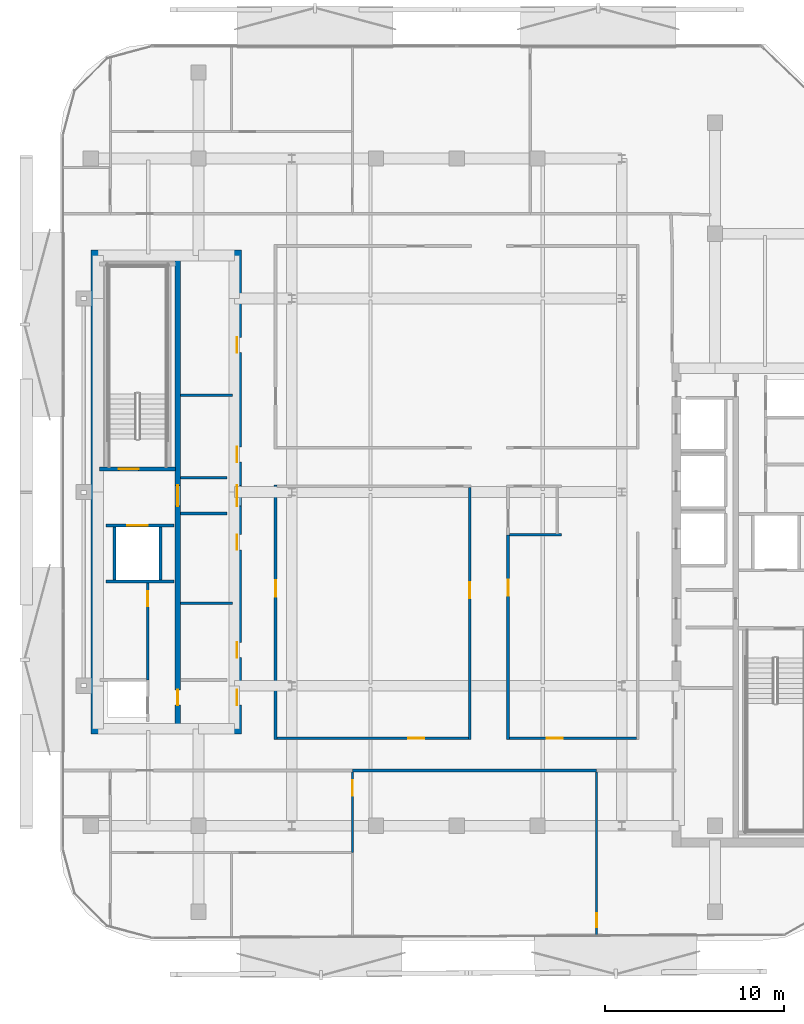
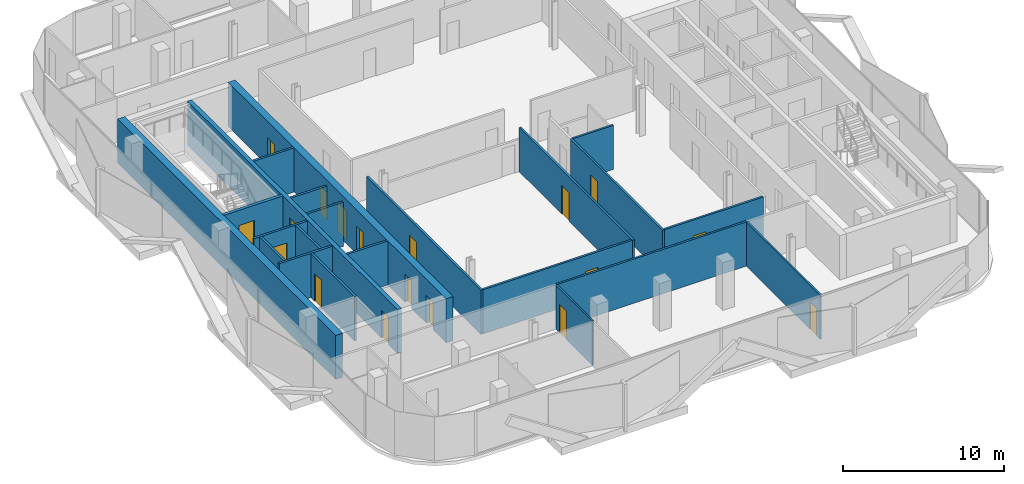
# One storey, part 3 of 14: 22 walls, 18 doors, 18 openings.
"""IFC4 building model written with IfcOpenShell, lengths in metres."""

import ifcopenshell
import ifcopenshell.guid

model = None  # the IFC model being written
_history = None  # IfcOwnerHistory: only IFC2X3 demands one
_inside = {}  # id of a spatial element -> (the spatial element, [elements in it])
_under = {}  # id of a project, library or spatial element -> (it, [spatial elements below it])
_declared = {}  # id of a project -> (the project, [libraries it declares])
_typed = {}  # id of a type object -> (the type object, [elements of that type])
_made_of = {}  # id of a material, layer set ... -> (it, [elements and type objects made of it])


def new_model(schema):
    """Start an empty IFC model of exactly this schema.

    Asked for "IFC4X3", IfcOpenShell would pick the latest addendum, in which some entities
    have other attributes; the version numbers below select the first issue.
    IFC2X3 requires an IfcOwnerHistory on every rooted entity: one is made here for all.
    """
    global model, _history
    if schema == "IFC4X3":
        model = ifcopenshell.file(schema_version=(4, 3, 0, 0))
    else:
        model = ifcopenshell.file(schema=schema)
    _inside.clear()
    _under.clear()
    _declared.clear()
    _typed.clear()
    _made_of.clear()
    _history = None
    if model.schema == "IFC2X3":
        org = make("IfcOrganization", Name="unknown")
        user = make(
            "IfcPersonAndOrganization",
            ThePerson=make("IfcPerson", FamilyName="unknown"),
            TheOrganization=org,
        )
        app = make(
            "IfcApplication",
            ApplicationDeveloper=org,
            Version="unknown",
            ApplicationFullName="unknown",
            ApplicationIdentifier="unknown",
        )
        _history = make(
            "IfcOwnerHistory",
            OwningUser=user,
            OwningApplication=app,
            ChangeAction="ADDED",
            CreationDate=0,
        )
    return model


def make(cls, **values):
    """One entity of the class cls with the attributes given. An attribute that is None is left unset."""
    return model.create_entity(
        cls, **{name: value for name, value in values.items() if value is not None}
    )


def rooted(cls, **values):
    """An entity with a GlobalId (a new one), such as an element, a storey or a relation."""
    return make(cls, GlobalId=ifcopenshell.guid.new(), OwnerHistory=_history, **values)


def si_unit(unit_type, name, prefix=None):
    """IfcSIUnit, for example si_unit("LENGTHUNIT", "METRE", prefix="MILLI")."""
    return make("IfcSIUnit", UnitType=unit_type, Prefix=prefix, Name=name)


def assignment(units):
    """IfcUnitAssignment: the units of a project."""
    return None if units is None else make("IfcUnitAssignment", Units=units)


def point(xyz):
    """IfcCartesianPoint."""
    return None if xyz is None else make("IfcCartesianPoint", Coordinates=xyz)


def direction(xyz):
    """IfcDirection."""
    return None if xyz is None else make("IfcDirection", DirectionRatios=xyz)


def frame(location, z_axis=None, x_axis=None):
    """IfcAxis2Placement3D, a coordinate frame: its origin and axes. An axis left out is left unset."""
    return make(
        "IfcAxis2Placement3D",
        Location=point(location),
        Axis=direction(z_axis),
        RefDirection=direction(x_axis),
    )


def frame_2d(location, x_axis=None):
    """IfcAxis2Placement2D, a coordinate frame in the plane: its origin and x axis."""
    return make(
        "IfcAxis2Placement2D", Location=point(location), RefDirection=direction(x_axis)
    )


def origin():
    """The frame at (0, 0, 0) with its axes left unset."""
    return frame((0.0, 0.0, 0.0))


def place(relative_to, where):
    """IfcLocalPlacement: puts the frame where relative to a parent placement (None: the world)."""
    return make(
        "IfcLocalPlacement", PlacementRelTo=relative_to, RelativePlacement=where
    )


def context(
    kind, dimensions, precision=None, world=None, true_north=None, identifier=None
):
    """IfcGeometricRepresentationContext, for example the 3D "Model" context."""
    return make(
        "IfcGeometricRepresentationContext",
        ContextIdentifier=identifier,
        ContextType=kind,
        CoordinateSpaceDimension=dimensions,
        Precision=precision,
        WorldCoordinateSystem=world,
        TrueNorth=true_north,
    )


def subcontext(parent, identifier, kind, view, scale=None):
    """IfcGeometricRepresentationSubContext, for example "Body" below "Model"."""
    return make(
        "IfcGeometricRepresentationSubContext",
        ContextIdentifier=identifier,
        ContextType=kind,
        ParentContext=parent,
        TargetScale=scale,
        TargetView=view,
    )


def project(units=None, contexts=None):
    """IfcProject with its units and contexts."""
    return rooted(
        "IfcProject",
        Name="project",
        RepresentationContexts=contexts,
        UnitsInContext=assignment(units),
    )


def spatial(cls, under=None, at=None, **own):
    """A site, building, storey or space (cls), placed at a placement, below another one or the project."""
    s = rooted(cls, ObjectPlacement=at, **own)
    if under is not None:
        _under.setdefault(under.id(), (under, []))[1].append(s)
    return s


def profile(cls, at=None, kind="AREA", **sizes):
    """A parametric profile (cls). Its sizes go by their IFC names, for example OverallWidth=200.0."""
    return make(cls, ProfileType=kind, Position=at, **sizes)


def rectangle(**sizes):
    """IfcRectangleProfileDef."""
    return profile("IfcRectangleProfileDef", **sizes)


def extrude(swept, where, along, depth):
    """IfcExtrudedAreaSolid: the profile swept, set in the frame where, extruded along a direction by depth."""
    return make(
        "IfcExtrudedAreaSolid",
        SweptArea=swept,
        Position=where,
        ExtrudedDirection=direction(along),
        Depth=depth,
    )


def shape(context_of_items, identifier, shape_type, items):
    """IfcShapeRepresentation: the items that make up one representation, for example the "Body"."""
    return make(
        "IfcShapeRepresentation",
        ContextOfItems=context_of_items,
        RepresentationIdentifier=identifier,
        RepresentationType=shape_type,
        Items=items,
    )


def material(Name=None, Category=None):
    """IfcMaterial."""
    return make("IfcMaterial", Name=Name, Category=Category)


def layer(
    of_material, thickness, ventilated=None, Name=None, Category=None, Priority=None
):
    """IfcMaterialLayer: one layer of a wall or slab, of a material (None: an air gap)."""
    return make(
        "IfcMaterialLayer",
        Material=of_material,
        LayerThickness=thickness,
        IsVentilated=ventilated,
        Name=Name,
        Category=Category,
        Priority=Priority,
    )


def layer_set(layers, Name=None):
    """IfcMaterialLayerSet."""
    return make("IfcMaterialLayerSet", MaterialLayers=layers, LayerSetName=Name)


def made_of(thing, what):
    """Note that an element or type object is made of a material, layer set ...; save() writes the relation."""
    if what is not None:
        _made_of.setdefault(what.id(), (what, []))[1].append(thing)
    return thing


def type_object(cls, material=None, **own):
    """A type object (cls), such as IfcWallType, which elements share."""
    return made_of(rooted(cls, **own), material)


def element(
    cls,
    number,
    at=None,
    inside=None,
    cuts=None,
    type_object=None,
    material=None,
    context=None,
    identifier="Body",
    shape_type=None,
    held_by="IfcProductDefinitionShape",
    body=None,
    shapes=None,
    **own,
):
    """One element of the class cls, such as IfcWall. Its Tag is "e" and its number.

    at: its placement. inside: the storey or other place that contains it. cuts: it is an
    opening in that element (IfcRelVoidsElement). A single representation is given by context,
    identifier, shape_type and body (its items); several are given by shapes. held_by: the class
    of the entity that holds the representations. save() writes the other relations.
    """
    e = rooted(cls, Tag="e%d" % number, ObjectPlacement=at, **own)
    if body is not None:
        shapes = [shape(context, identifier, shape_type, body)]
    if shapes is not None:
        e.Representation = make(held_by, Representations=shapes)
    if inside is not None:
        _inside.setdefault(inside.id(), (inside, []))[1].append(e)
    if cuts is not None:
        rooted(
            "IfcRelVoidsElement", RelatingBuildingElement=cuts, RelatedOpeningElement=e
        )
    if type_object is not None:
        _typed.setdefault(type_object.id(), (type_object, []))[1].append(e)
    return made_of(e, material)


def fill(opening, filler):
    """IfcRelFillsElement: the door or window that sits in an opening."""
    return rooted(
        "IfcRelFillsElement",
        RelatingOpeningElement=opening,
        RelatedBuildingElement=filler,
    )


def aggregate(whole, parts):
    """IfcRelAggregates: a whole, such as a stair, and the parts it consists of."""
    return rooted("IfcRelAggregates", RelatingObject=whole, RelatedObjects=parts)


def save(model, path):
    """Write the relations noted so far, then the file.

    IfcRelAggregates (storeys below a building ...), IfcRelContainedInSpatialStructure (elements
    in a storey), IfcRelDefinesByType, IfcRelAssociatesMaterial and IfcRelDeclares: one each for
    every whole, place, type object, material and project.
    """
    for whole, parts in _under.values():
        aggregate(whole, parts)
    for where, things in _inside.values():
        rooted(
            "IfcRelContainedInSpatialStructure",
            RelatedElements=things,
            RelatingStructure=where,
        )
    for kind, things in _typed.values():
        rooted("IfcRelDefinesByType", RelatedObjects=things, RelatingType=kind)
    for what, things in _made_of.values():
        rooted("IfcRelAssociatesMaterial", RelatedObjects=things, RelatingMaterial=what)
    for by, libraries in _declared.values():
        rooted("IfcRelDeclares", RelatingContext=by, RelatedDefinitions=libraries)
    model.write(path)


model = new_model("IFC4")

# Units and contexts
model_context = context("Model", 3, precision=1e-05, world=origin(), true_north=direction((0.0, 1.0)))
body_context = subcontext(model_context, "Body", "Model", "MODEL_VIEW")
ifc_project = project(units=[si_unit("LENGTHUNIT", "METRE"), si_unit("AREAUNIT", "SQUARE_METRE"), si_unit("VOLUMEUNIT", "CUBIC_METRE"), si_unit("PLANEANGLEUNIT", "RADIAN"), si_unit("MASSUNIT", "GRAM", prefix="KILO")], contexts=[model_context])

# Site, building, storey
site_placement = place(None, origin())
site = spatial("IfcSite", under=ifc_project, at=site_placement, CompositionType="ELEMENT")
building_placement = place(site_placement, origin())
building = spatial("IfcBuilding", under=site, at=building_placement, Name="Khairoan Windgate Tower", CompositionType="ELEMENT")
storey_placement = place(building_placement, frame((0.0, 0.0, 240.39990234375)))
storey = spatial("IfcBuildingStorey", under=building, at=storey_placement, Name="L56", CompositionType="ELEMENT", Elevation=240.39990234375)

# Wall, opening, door
ifc_material_1 = material(Name="Concrete C40/50", Category="concrete")
ifc_layer_1 = layer(ifc_material_1, 0.159912109375, Name="Concrete C40/50")
ifc_layer_set_1 = layer_set([ifc_layer_1], Name="Concrete C40/50")
wall_type_1 = type_object("IfcWallType", Name="Core and Hoistway Enclosure Wall", PredefinedType="STANDARD", material=ifc_layer_set_1)
wall_1_placement = place(storey_placement, frame((-19.550048828125, -1.860107421875, 0.0), z_axis=(0.0, 0.0, 1.0), x_axis=(1.0, 0.0, 0.0)))
wall_1 = element("IfcWall", 1, at=wall_1_placement, inside=storey, type_object=wall_type_1, Name="L56 Core Shaft Wall SW-FL2-L56", PredefinedType="STANDARD", context=body_context, shape_type="SweptSolid", body=[
    extrude(rectangle(XDim=3.800048828125, YDim=0.159912109375, at=frame_2d((1.89990234375, 0.0))), origin(), (0.0, 0.0, 1.0), 3.340087890625),
])
opening_1_placement = place(wall_1_placement, frame((1.179931640625, 0.0, 0.0)))
opening_1 = element("IfcOpeningElement", 2, at=opening_1_placement, cuts=wall_1, Name="Opening LD-FL", PredefinedType="OPENING", context=body_context, shape_type="SweptSolid", body=[
    extrude(rectangle(XDim=1.14990234375, YDim=2.199951171875, at=frame_2d((0.574951171875, 1.10009765625))), frame((0.0, 0.08984375, 0.0), z_axis=(0.0, -1.0, 0.0), x_axis=(1.0, 0.0, 0.0)), (0.0, 0.0, 1.0), 0.179931640625),
])
ifc_material_2 = material(Name="Steel S355", Category="steel")
door_type_1 = type_object("IfcDoorType", Name="Firefighting Lift Sliding Landing Door LD-FL 1150x2200", OperationType="DOUBLE_DOOR_SLIDING", PredefinedType="DOOR", material=ifc_material_2)
door_1_placement = place(opening_1_placement, origin())
door_1 = element("IfcDoor", 3, at=door_1_placement, inside=storey, type_object=door_type_1, Name="L56 Firefighting Lift FL2 Landing Door", OperationType="DOUBLE_DOOR_SLIDING", OverallHeight=2.199951171875, OverallWidth=1.14990234375, PredefinedType="DOOR", context=body_context, shape_type="SweptSolid", body=[
    extrude(rectangle(XDim=1.14990234375, YDim=2.199951171875, at=frame_2d((0.574951171875, 1.10009765625))), frame((0.0, 0.02490234375, 0.0), z_axis=(0.0, -1.0, 0.0), x_axis=(1.0, 0.0, 0.0)), (0.0, 0.0, 1.0), 0.050048828125),
])
fill(opening_1, door_1)

# Walls
wall_2_placement = place(storey_placement, frame((-19.550048828125, -4.97998046875, 0.0), z_axis=(0.0, 0.0, 1.0), x_axis=(1.0, 0.0, 0.0)))
element("IfcWall", 4, at=wall_2_placement, inside=storey, type_object=wall_type_1, Name="L56 Core Shaft Wall SW-FL2B-L56", PredefinedType="STANDARD", context=body_context, shape_type="SweptSolid", body=[
    extrude(rectangle(XDim=3.800048828125, YDim=0.159912109375, at=frame_2d((1.89990234375, 0.0))), origin(), (0.0, 0.0, 1.0), 3.340087890625),
])
for number, where, z_axis, x_axis, name in (
    (5, (-19.080078125, -4.89990234375, 0.0), (0.0, 0.0, 1.0), (0.0, 1.0, 0.0), "L56 Core Shaft Wall SW-FL2W-L56"),
    (6, (-16.52001953125, -4.89990234375, 0.0), (0.0, 0.0, 1.0), (0.0, 1.0, 0.0), "L56 Core Shaft Wall SW-FL2E-L56"),
):
    element("IfcWall", number, at=place(storey_placement, frame(where, z_axis=z_axis, x_axis=x_axis)), inside=storey, type_object=wall_type_1, Name=name, PredefinedType="STANDARD", context=body_context, shape_type="SweptSolid", body=[
        extrude(rectangle(XDim=2.9599609375, YDim=0.159912109375, at=frame_2d((1.47998046875, 0.0))), origin(), (0.0, 0.0, 1.0), 3.340087890625),
    ])
for number, where, z_axis, x_axis, name in (
    (7, (-15.39990234375, 0.800048828125, 0.0), (0.0, 0.0, 1.0), (1.0, 0.0, 0.0), "L56 Core Shaft Wall SW-WV1-L56"),
    (8, (-15.39990234375, -1.199951171875, 0.0), (0.0, 0.0, 1.0), (1.0, 0.0, 0.0), "L56 Core Shaft Wall SW-WV2-L56"),
):
    element("IfcWall", number, at=place(storey_placement, frame(where, z_axis=z_axis, x_axis=x_axis)), inside=storey, type_object=wall_type_1, Name=name, PredefinedType="STANDARD", context=body_context, shape_type="SweptSolid", body=[
        extrude(rectangle(XDim=2.599853515625, YDim=0.159912109375, at=frame_2d((1.2998046875, 0.0))), origin(), (0.0, 0.0, 1.0), 3.340087890625),
    ])
ifc_material_3 = material(Name="Acoustic Fire-Rated Gypsum Partition", Category="gypsum")
ifc_layer_2 = layer(ifc_material_3, 0.139892578125, Name="Acoustic Fire-Rated Gypsum Partition")
ifc_layer_set_2 = layer_set([ifc_layer_2], Name="Acoustic Fire-Rated Gypsum Partition")
wall_type_2 = type_object("IfcWallType", Name="Inter-Tenancy Compartment Wall", PredefinedType="PARTITIONING", material=ifc_layer_set_2)
wall_3_placement = place(storey_placement, frame((2.93994140625, -2.3798828125, 0.0), z_axis=(0.0, 0.0, 1.0), x_axis=(1.0, 0.0, 0.0)))
element("IfcWall", 9, at=wall_3_placement, inside=storey, type_object=wall_type_2, Name="L56 Interior Partition 058", PredefinedType="PARTITIONING", context=body_context, shape_type="SweptSolid", body=[
    extrude(rectangle(XDim=2.900146484375, YDim=0.139892578125, at=frame_2d((1.4501953125, 0.0))), origin(), (0.0, 0.0, 1.0), 3.340087890625),
])

# Wall, opening, door
ifc_material_4 = material(Name="Gypsum Stud Partition", Category="gypsum")
ifc_layer_3 = layer(ifc_material_4, 0.1201171875, Name="Gypsum Stud Partition")
ifc_layer_set_3 = layer_set([ifc_layer_3], Name="Gypsum Stud Partition")
wall_type_3 = type_object("IfcWallType", Name="Internal Room Partition Wall", PredefinedType="PARTITIONING", material=ifc_layer_set_3)
wall_4_placement = place(storey_placement, frame((-5.81005859375, -20.10009765625, 0.0), z_axis=(0.0, 0.0, 1.0), x_axis=(0.0, 1.0, 0.0)))
wall_4 = element("IfcWall", 10, at=wall_4_placement, inside=storey, type_object=wall_type_3, Name="L56 Interior Partition 052", PredefinedType="PARTITIONING", context=body_context, shape_type="SweptSolid", body=[
    extrude(rectangle(XDim=4.5, YDim=0.1201171875, at=frame_2d((2.25, 0.0))), origin(), (0.0, 0.0, 1.0), 3.340087890625),
])
opening_2_placement = place(wall_4_placement, frame((3.179931640625, 0.0, 0.0)))
opening_2 = element("IfcOpeningElement", 11, at=opening_2_placement, cuts=wall_4, Name="Opening ID-RM", PredefinedType="OPENING", context=body_context, shape_type="SweptSolid", body=[
    extrude(rectangle(XDim=0.860107421875, YDim=2.14990234375, at=frame_2d((0.43017578125, 1.074951171875))), frame((0.0, 0.070068359375, 0.0), z_axis=(0.0, -1.0, 0.0), x_axis=(1.0, 0.0, 0.0)), (0.0, 0.0, 1.0), 0.14013671875),
])
ifc_material_5 = material(Name="Teak Veneer Timber Leaf", Category="wood")
door_type_2 = type_object("IfcDoorType", Name="Internal Bedroom and Office Door ID-RM 860x2150", OperationType="NOTDEFINED", PredefinedType="DOOR", material=ifc_material_5)
door_2_placement = place(opening_2_placement, origin())
door_2 = element("IfcDoor", 12, at=door_2_placement, inside=storey, type_object=door_type_2, Name="L56 L56-42-L56-43 Door", OperationType="SINGLE_SWING_LEFT", OverallHeight=2.14990234375, OverallWidth=0.860107421875, PredefinedType="DOOR", context=body_context, shape_type="SweptSolid", body=[
    extrude(rectangle(XDim=0.860107421875, YDim=2.14990234375, at=frame_2d((0.43017578125, 1.074951171875))), frame((0.0, 0.02490234375, 0.0), z_axis=(0.0, -1.0, 0.0), x_axis=(1.0, 0.0, 0.0)), (0.0, 0.0, 1.0), 0.050048828125),
])
fill(opening_2, door_2)

wall_5_placement = place(storey_placement, frame((7.804931640625, -24.7353515625, 0.0), z_axis=(0.0, 0.0, 1.0), x_axis=(0.0, 1.0, 0.0)))
wall_5 = element("IfcWall", 13, at=wall_5_placement, inside=storey, type_object=wall_type_3, Name="L56 Interior Partition 055", PredefinedType="PARTITIONING", context=body_context, shape_type="SweptSolid", body=[
    extrude(rectangle(XDim=9.13525390625, YDim=0.1201171875, at=frame_2d((4.567626953125, 0.0))), origin(), (0.0, 0.0, 1.0), 3.340087890625),
])
opening_3_placement = place(wall_5_placement, frame((0.4599609375, 0.0, 0.0)))
opening_3 = element("IfcOpeningElement", 14, at=opening_3_placement, cuts=wall_5, Name="Opening ID-BTH", PredefinedType="OPENING", context=body_context, shape_type="SweptSolid", body=[
    extrude(rectangle(XDim=0.800048828125, YDim=2.10009765625, at=frame_2d((0.39990234375, 1.050048828125))), frame((0.0, 0.070068359375, 0.0), z_axis=(0.0, -1.0, 0.0), x_axis=(1.0, 0.0, 0.0)), (0.0, 0.0, 1.0), 0.14013671875),
])
ifc_material_6 = material(Name="Teak Veneer Timber Leaf", Category="wood")
door_type_3 = type_object("IfcDoorType", Name="Internal Bathroom Door ID-BTH 800x2100", OperationType="NOTDEFINED", PredefinedType="DOOR", material=ifc_material_6)
door_3_placement = place(opening_3_placement, origin())
door_3 = element("IfcDoor", 15, at=door_3_placement, inside=storey, type_object=door_type_3, Name="L56 L56-43-L56-44 Door", OperationType="SINGLE_SWING_LEFT", OverallHeight=2.10009765625, OverallWidth=0.800048828125, PredefinedType="DOOR", context=body_context, shape_type="SweptSolid", body=[
    extrude(rectangle(XDim=0.800048828125, YDim=2.10009765625, at=frame_2d((0.39990234375, 1.050048828125))), frame((0.0, 0.02490234375, 0.0), z_axis=(0.0, -1.0, 0.0), x_axis=(1.0, 0.0, 0.0)), (0.0, 0.0, 1.0), 0.050048828125),
])
fill(opening_3, door_3)

ifc_material_7 = material(Name="Concrete C40/50", Category="concrete")
ifc_layer_4 = layer(ifc_material_7, 0.159912109375, Name="Concrete C40/50")
ifc_layer_set_4 = layer_set([ifc_layer_4], Name="Concrete C40/50")
wall_type_4 = type_object("IfcWallType", Name="Plant and Refuge Compartment Wall", PredefinedType="PARTITIONING", material=ifc_layer_set_4)
wall_6_placement = place(storey_placement, frame((-17.22998046875, -10.469970703125, 0.0), z_axis=(0.0, 0.0, 1.0), x_axis=(0.0, 1.0, 0.0)))
wall_6 = element("IfcWall", 16, at=wall_6_placement, inside=storey, type_object=wall_type_4, Name="L56 Interior Partition 002", PredefinedType="PARTITIONING", context=body_context, shape_type="SweptSolid", body=[
    extrude(rectangle(XDim=5.409912109375, YDim=0.159912109375, at=frame_2d((2.705078125, 0.0))), origin(), (0.0, 0.0, 1.0), 3.340087890625),
])
opening_4_placement = place(wall_6_placement, frame((4.10009765625, 0.0, 0.0)))
opening_4 = element("IfcOpeningElement", 17, at=opening_4_placement, cuts=wall_6, Name="Opening FD-SRV", PredefinedType="OPENING", context=body_context, shape_type="SweptSolid", body=[
    extrude(rectangle(XDim=0.85009765625, YDim=2.10009765625, at=frame_2d((0.425048828125, 1.050048828125))), frame((0.0, 0.08984375, 0.0), z_axis=(0.0, -1.0, 0.0), x_axis=(1.0, 0.0, 0.0)), (0.0, 0.0, 1.0), 0.179931640625),
])
ifc_material_8 = material(Name="Steel S355", Category="steel")
door_type_4 = type_object("IfcDoorType", Name="Core Service and Riser Fire Door FD-SRV 850x2100", OperationType="NOTDEFINED", PredefinedType="DOOR", material=ifc_material_8)
door_4_placement = place(opening_4_placement, origin())
door_4 = element("IfcDoor", 18, at=door_4_placement, inside=storey, type_object=door_type_4, Name="L56 L56-04-L56-06 Door", OperationType="SINGLE_SWING_LEFT", OverallHeight=2.10009765625, OverallWidth=0.85009765625, PredefinedType="DOOR", context=body_context, shape_type="SweptSolid", body=[
    extrude(rectangle(XDim=0.85009765625, YDim=2.10009765625, at=frame_2d((0.425048828125, 1.050048828125))), frame((0.0, 0.02490234375, 0.0), z_axis=(0.0, -1.0, 0.0), x_axis=(1.0, 0.0, 0.0)), (0.0, 0.0, 1.0), 0.050048828125),
])
fill(opening_4, door_4)

# Walls
for number, where, z_axis, x_axis, name in (
    (19, (-15.39990234375, 5.39990234375, 0.0), (0.0, 0.0, 1.0), (1.0, 0.0, 0.0), "L56 Interior Partition 004"),
    (20, (-15.39990234375, -6.199951171875, 0.0), (0.0, 0.0, 1.0), (1.0, 0.0, 0.0), "L56 Interior Partition 005"),
):
    element("IfcWall", number, at=place(storey_placement, frame(where, z_axis=z_axis, x_axis=x_axis)), inside=storey, type_object=wall_type_4, Name=name, PredefinedType="PARTITIONING", context=body_context, shape_type="SweptSolid", body=[
        extrude(rectangle(XDim=2.89990234375, YDim=0.159912109375, at=frame_2d((1.449951171875, 0.0))), origin(), (0.0, 0.0, 1.0), 3.340087890625),
    ])

# Wall, opening, door
ifc_material_9 = material(Name="Acoustic Fire-Rated Gypsum Partition", Category="gypsum")
ifc_layer_5 = layer(ifc_material_9, 0.14990234375, Name="Acoustic Fire-Rated Gypsum Partition")
ifc_layer_set_5 = layer_set([ifc_layer_5], Name="Acoustic Fire-Rated Gypsum Partition")
wall_type_5 = type_object("IfcWallType", Name="Rated Corridor Partition Wall", PredefinedType="PARTITIONING", material=ifc_layer_set_5)
wall_7_placement = place(storey_placement, frame((-10.10009765625, -13.794921875, 0.0), z_axis=(0.0, 0.0, 1.0), x_axis=(0.0, 1.0, 0.0)))
wall_7 = element("IfcWall", 21, at=wall_7_placement, inside=storey, type_object=wall_type_5, Name="L56 Interior Partition 013", PredefinedType="PARTITIONING", context=body_context, shape_type="SweptSolid", body=[
    extrude(rectangle(XDim=14.204833984375, YDim=0.14990234375, at=frame_2d((7.1025390625, 0.0))), origin(), (0.0, 0.0, 1.0), 3.340087890625),
])
opening_5_placement = place(wall_7_placement, frame((7.97216796875, 0.0, 0.0)))
opening_5 = element("IfcOpeningElement", 22, at=opening_5_placement, cuts=wall_7, Name="Opening FD-ENT", PredefinedType="OPENING", context=body_context, shape_type="SweptSolid", body=[
    extrude(rectangle(XDim=0.89990234375, YDim=2.14990234375, at=frame_2d((0.449951171875, 1.074951171875))), frame((0.0, 0.0849609375, 0.0), z_axis=(0.0, -1.0, 0.0), x_axis=(1.0, 0.0, 0.0)), (0.0, 0.0, 1.0), 0.169921875),
])
ifc_material_10 = material(Name="Timber Fire-Rated Core", Category="wood")
door_type_5 = type_object("IfcDoorType", Name="Unit and Office Fire Entrance Door FD-ENT 900x2150", OperationType="NOTDEFINED", PredefinedType="DOOR", material=ifc_material_10)
door_5_placement = place(opening_5_placement, origin())
door_5 = element("IfcDoor", 23, at=door_5_placement, inside=storey, type_object=door_type_5, Name="L56 L56-27-L56-49 Door", OperationType="SINGLE_SWING_RIGHT", OverallHeight=2.14990234375, OverallWidth=0.89990234375, PredefinedType="DOOR", context=body_context, shape_type="SweptSolid", body=[
    extrude(rectangle(XDim=0.89990234375, YDim=2.14990234375, at=frame_2d((0.449951171875, 1.074951171875))), frame((0.0, 0.02490234375, 0.0), z_axis=(0.0, -1.0, 0.0), x_axis=(1.0, 0.0, 0.0)), (0.0, 0.0, 1.0), 0.050048828125),
])
fill(opening_5, door_5)

wall_8_placement = place(storey_placement, frame((0.735107421875, -13.794921875, 0.0), z_axis=(0.0, 0.0, 1.0), x_axis=(0.0, 1.0, 0.0)))
wall_8 = element("IfcWall", 24, at=wall_8_placement, inside=storey, type_object=wall_type_5, Name="L56 Interior Partition 021", PredefinedType="PARTITIONING", context=body_context, shape_type="SweptSolid", body=[
    extrude(rectangle(XDim=14.054931640625, YDim=0.14990234375, at=frame_2d((7.02734375, 0.0))), origin(), (0.0, 0.0, 1.0), 3.340087890625),
])
opening_6_placement = place(wall_8_placement, frame((7.881103515625, 0.0, 0.0)))
opening_6 = element("IfcOpeningElement", 25, at=opening_6_placement, cuts=wall_8, Name="Opening FD-ENT", PredefinedType="OPENING", context=body_context, shape_type="SweptSolid", body=[
    extrude(rectangle(XDim=0.89990234375, YDim=2.14990234375, at=frame_2d((0.449951171875, 1.074951171875))), frame((0.0, 0.0849609375, 0.0), z_axis=(0.0, -1.0, 0.0), x_axis=(1.0, 0.0, 0.0)), (0.0, 0.0, 1.0), 0.169921875),
])
door_6_placement = place(opening_6_placement, origin())
door_6 = element("IfcDoor", 26, at=door_6_placement, inside=storey, type_object=door_type_5, Name="L56 L56-30-L56-49 Door", OperationType="SINGLE_SWING_RIGHT", OverallHeight=2.14990234375, OverallWidth=0.89990234375, PredefinedType="DOOR", context=body_context, shape_type="SweptSolid", body=[
    extrude(rectangle(XDim=0.89990234375, YDim=2.14990234375, at=frame_2d((0.449951171875, 1.074951171875))), frame((0.0, 0.02490234375, 0.0), z_axis=(0.0, -1.0, 0.0), x_axis=(1.0, 0.0, 0.0)), (0.0, 0.0, 1.0), 0.050048828125),
])
fill(opening_6, door_6)

wall_9_placement = place(storey_placement, frame((2.864990234375, -13.794921875, 0.0), z_axis=(0.0, 0.0, 1.0), x_axis=(0.0, 1.0, 0.0)))
wall_9 = element("IfcWall", 27, at=wall_9_placement, inside=storey, type_object=wall_type_5, Name="L56 Interior Partition 023", PredefinedType="PARTITIONING", context=body_context, shape_type="SweptSolid", body=[
    extrude(rectangle(XDim=11.4150390625, YDim=0.14990234375, at=frame_2d((5.70751953125, 0.0))), origin(), (0.0, 0.0, 1.0), 3.340087890625),
])
opening_7_placement = place(wall_9_placement, frame((8.013427734375, 0.0, 0.0)))
opening_7 = element("IfcOpeningElement", 28, at=opening_7_placement, cuts=wall_9, Name="Opening FD-ENT", PredefinedType="OPENING", context=body_context, shape_type="SweptSolid", body=[
    extrude(rectangle(XDim=0.89990234375, YDim=2.14990234375, at=frame_2d((0.449951171875, 1.074951171875))), frame((0.0, 0.0849609375, 0.0), z_axis=(0.0, -1.0, 0.0), x_axis=(1.0, 0.0, 0.0)), (0.0, 0.0, 1.0), 0.169921875),
])
door_7_placement = place(opening_7_placement, origin())
door_7 = element("IfcDoor", 29, at=door_7_placement, inside=storey, type_object=door_type_5, Name="L56 L56-30-L56-52 Door", OperationType="SINGLE_SWING_RIGHT", OverallHeight=2.14990234375, OverallWidth=0.89990234375, PredefinedType="DOOR", context=body_context, shape_type="SweptSolid", body=[
    extrude(rectangle(XDim=0.89990234375, YDim=2.14990234375, at=frame_2d((0.449951171875, 1.074951171875))), frame((0.0, 0.02490234375, 0.0), z_axis=(0.0, -1.0, 0.0), x_axis=(1.0, 0.0, 0.0)), (0.0, 0.0, 1.0), 0.050048828125),
])
fill(opening_7, door_7)

# Wall
wall_10_placement = place(storey_placement, frame((-5.81005859375, -15.52490234375, 0.0), z_axis=(0.0, 0.0, 1.0), x_axis=(1.0, 0.0, 0.0)))
element("IfcWall", 30, at=wall_10_placement, inside=storey, type_object=wall_type_5, Name="L56 Interior Partition 033", PredefinedType="PARTITIONING", context=body_context, shape_type="SweptSolid", body=[
    extrude(rectangle(XDim=13.614990234375, YDim=0.14990234375, at=frame_2d((6.8076171875, 0.0))), origin(), (0.0, 0.0, 1.0), 3.340087890625),
])

# Wall, opening, door
wall_11_placement = place(storey_placement, frame((-10.02490234375, -13.719970703125, 0.0), z_axis=(0.0, 0.0, 1.0), x_axis=(1.0, 0.0, 0.0)))
wall_11 = element("IfcWall", 31, at=wall_11_placement, inside=storey, type_object=wall_type_5, Name="L56 Interior Partition 035", PredefinedType="PARTITIONING", context=body_context, shape_type="SweptSolid", body=[
    extrude(rectangle(XDim=10.684814453125, YDim=0.14990234375, at=frame_2d((5.34228515625, 0.0))), origin(), (0.0, 0.0, 1.0), 3.340087890625),
])
opening_8_placement = place(wall_11_placement, frame((7.310302734375, 0.0, 0.0)))
opening_8 = element("IfcOpeningElement", 32, at=opening_8_placement, cuts=wall_11, Name="Opening FD-ENT", PredefinedType="OPENING", context=body_context, shape_type="SweptSolid", body=[
    extrude(rectangle(XDim=0.89990234375, YDim=2.14990234375, at=frame_2d((0.449951171875, 1.074951171875))), frame((0.0, 0.0849609375, 0.0), z_axis=(0.0, -1.0, 0.0), x_axis=(1.0, 0.0, 0.0)), (0.0, 0.0, 1.0), 0.169921875),
])
door_8_placement = place(opening_8_placement, origin())
door_8 = element("IfcDoor", 33, at=door_8_placement, inside=storey, type_object=door_type_5, Name="L56 L56-32-L56-49 Door", OperationType="SINGLE_SWING_RIGHT", OverallHeight=2.14990234375, OverallWidth=0.89990234375, PredefinedType="DOOR", context=body_context, shape_type="SweptSolid", body=[
    extrude(rectangle(XDim=0.89990234375, YDim=2.14990234375, at=frame_2d((0.449951171875, 1.074951171875))), frame((0.0, 0.02490234375, 0.0), z_axis=(0.0, -1.0, 0.0), x_axis=(1.0, 0.0, 0.0)), (0.0, 0.0, 1.0), 0.050048828125),
])
fill(opening_8, door_8)

wall_12_placement = place(storey_placement, frame((2.93994140625, -13.719970703125, 0.0), z_axis=(0.0, 0.0, 1.0), x_axis=(1.0, 0.0, 0.0)))
wall_12 = element("IfcWall", 34, at=wall_12_placement, inside=storey, type_object=wall_type_5, Name="L56 Interior Partition 036", PredefinedType="PARTITIONING", context=body_context, shape_type="SweptSolid", body=[
    extrude(rectangle(XDim=7.0849609375, YDim=0.14990234375, at=frame_2d((3.54248046875, 0.0))), origin(), (0.0, 0.0, 1.0), 3.340087890625),
])
opening_9_placement = place(wall_12_placement, frame((2.080078125, 0.0, 0.0)))
opening_9 = element("IfcOpeningElement", 35, at=opening_9_placement, cuts=wall_12, Name="Opening FD-ENT", PredefinedType="OPENING", context=body_context, shape_type="SweptSolid", body=[
    extrude(rectangle(XDim=0.89990234375, YDim=2.14990234375, at=frame_2d((0.449951171875, 1.074951171875))), frame((0.0, 0.0849609375, 0.0), z_axis=(0.0, -1.0, 0.0), x_axis=(1.0, 0.0, 0.0)), (0.0, 0.0, 1.0), 0.169921875),
])
door_9_placement = place(opening_9_placement, origin())
door_9 = element("IfcDoor", 36, at=door_9_placement, inside=storey, type_object=door_type_5, Name="L56 L56-32-L56-52 Door", OperationType="SINGLE_SWING_LEFT", OverallHeight=2.14990234375, OverallWidth=0.89990234375, PredefinedType="DOOR", context=body_context, shape_type="SweptSolid", body=[
    extrude(rectangle(XDim=0.89990234375, YDim=2.14990234375, at=frame_2d((0.449951171875, 1.074951171875))), frame((0.0, 0.02490234375, 0.0), z_axis=(0.0, -1.0, 0.0), x_axis=(1.0, 0.0, 0.0)), (0.0, 0.0, 1.0), 0.050048828125),
])
fill(opening_9, door_9)

# Wall
ifc_material_11 = material(Name="Concrete C50/60", Category="concrete")
ifc_layer_6 = layer(ifc_material_11, 0.5, Name="Concrete C50/60")
ifc_layer_set_6 = layer_set([ifc_layer_6], Name="Concrete C50/60")
wall_type_6 = type_object("IfcWallType", Name="Shear Wall CW-W3 500mm", PredefinedType="SHEAR", material=ifc_layer_set_6)
wall_13_placement = place(storey_placement, frame((-20.14990234375, -13.5, 0.0), z_axis=(0.0, 0.0, 1.0), x_axis=(0.0, 1.0, 0.0)))
element("IfcWall", 37, at=wall_13_placement, inside=storey, type_object=wall_type_6, Name="W Core West Shear Wall L56", PredefinedType="SHEAR", context=body_context, shape_type="SweptSolid", body=[
    extrude(rectangle(XDim=27.0, YDim=0.5, at=frame_2d((13.5, 0.0))), origin(), (0.0, 0.0, 1.0), 3.340087890625),
])

# Wall, openings, doors
wall_14_placement = place(storey_placement, frame((-12.25, -13.5, 0.0), z_axis=(0.0, 0.0, 1.0), x_axis=(0.0, 1.0, 0.0)))
wall_14 = element("IfcWall", 38, at=wall_14_placement, inside=storey, type_object=wall_type_6, Name="W Core East Shear Wall L56", PredefinedType="SHEAR", context=body_context, shape_type="SweptSolid", body=[
    extrude(rectangle(XDim=27.0, YDim=0.5, at=frame_2d((13.5, 0.0))), origin(), (0.0, 0.0, 1.0), 3.340087890625),
])
opening_10_placement = place(wall_14_placement, frame((15.175048828125, 0.0, 0.0)))
opening_10 = element("IfcOpeningElement", 39, at=opening_10_placement, cuts=wall_14, Name="Opening FD-SRV", PredefinedType="OPENING", context=body_context, shape_type="SweptSolid", body=[
    extrude(rectangle(XDim=0.85009765625, YDim=2.10009765625, at=frame_2d((0.425048828125, 1.050048828125))), frame((0.0, 0.260009765625, 0.0), z_axis=(0.0, -1.0, 0.0), x_axis=(1.0, 0.0, 0.0)), (0.0, 0.0, 1.0), 0.52001953125),
])
opening_11_placement = place(wall_14_placement, frame((21.27490234375, 0.0, 0.0)))
opening_11 = element("IfcOpeningElement", 40, at=opening_11_placement, cuts=wall_14, Name="Opening FD-SRV", PredefinedType="OPENING", context=body_context, shape_type="SweptSolid", body=[
    extrude(rectangle(XDim=0.85009765625, YDim=2.10009765625, at=frame_2d((0.425048828125, 1.050048828125))), frame((0.0, 0.260009765625, 0.0), z_axis=(0.0, -1.0, 0.0), x_axis=(1.0, 0.0, 0.0)), (0.0, 0.0, 1.0), 0.52001953125),
])
opening_12_placement = place(wall_14_placement, frame((4.27490234375, 0.0, 0.0)))
opening_12 = element("IfcOpeningElement", 41, at=opening_12_placement, cuts=wall_14, Name="Opening FD-SRV", PredefinedType="OPENING", context=body_context, shape_type="SweptSolid", body=[
    extrude(rectangle(XDim=0.85009765625, YDim=2.10009765625, at=frame_2d((0.425048828125, 1.050048828125))), frame((0.0, 0.260009765625, 0.0), z_axis=(0.0, -1.0, 0.0), x_axis=(1.0, 0.0, 0.0)), (0.0, 0.0, 1.0), 0.52001953125),
])
opening_13_placement = place(wall_14_placement, frame((10.27490234375, 0.0, 0.0)))
opening_13 = element("IfcOpeningElement", 42, at=opening_13_placement, cuts=wall_14, Name="Opening FD-SRV", PredefinedType="OPENING", context=body_context, shape_type="SweptSolid", body=[
    extrude(rectangle(XDim=0.85009765625, YDim=2.10009765625, at=frame_2d((0.425048828125, 1.050048828125))), frame((0.0, 0.260009765625, 0.0), z_axis=(0.0, -1.0, 0.0), x_axis=(1.0, 0.0, 0.0)), (0.0, 0.0, 1.0), 0.52001953125),
])
opening_14_placement = place(wall_14_placement, frame((12.72509765625, 0.0, 0.0)))
opening_14 = element("IfcOpeningElement", 43, at=opening_14_placement, cuts=wall_14, Name="Opening FD-FFL", PredefinedType="OPENING", context=body_context, shape_type="SweptSolid", body=[
    extrude(rectangle(XDim=1.14990234375, YDim=2.199951171875, at=frame_2d((0.574951171875, 1.10009765625))), frame((0.0, 0.260009765625, 0.0), z_axis=(0.0, -1.0, 0.0), x_axis=(1.0, 0.0, 0.0)), (0.0, 0.0, 1.0), 0.52001953125),
])
opening_15_placement = place(wall_14_placement, frame((1.625, 0.0, 0.0)))
opening_15 = element("IfcOpeningElement", 44, at=opening_15_placement, cuts=wall_14, Name="Opening FD-SRV", PredefinedType="OPENING", context=body_context, shape_type="SweptSolid", body=[
    extrude(rectangle(XDim=0.85009765625, YDim=2.10009765625, at=frame_2d((0.425048828125, 1.050048828125))), frame((0.0, 0.260009765625, 0.0), z_axis=(0.0, -1.0, 0.0), x_axis=(1.0, 0.0, 0.0)), (0.0, 0.0, 1.0), 0.52001953125),
])
door_10_placement = place(opening_10_placement, origin())
door_10 = element("IfcDoor", 45, at=door_10_placement, inside=storey, type_object=door_type_4, Name="L56 Upper Core Room Door B1-1", OperationType="SINGLE_SWING_RIGHT", OverallHeight=2.10009765625, OverallWidth=0.85009765625, PredefinedType="DOOR", context=body_context, shape_type="SweptSolid", body=[
    extrude(rectangle(XDim=0.85009765625, YDim=2.10009765625, at=frame_2d((0.425048828125, 1.050048828125))), frame((0.0, 0.02490234375, 0.0), z_axis=(0.0, -1.0, 0.0), x_axis=(1.0, 0.0, 0.0)), (0.0, 0.0, 1.0), 0.050048828125),
])
fill(opening_10, door_10)
door_11_placement = place(opening_11_placement, origin())
door_11 = element("IfcDoor", 46, at=door_11_placement, inside=storey, type_object=door_type_4, Name="L56 Upper Core Room Door B1-2", OperationType="SINGLE_SWING_LEFT", OverallHeight=2.10009765625, OverallWidth=0.85009765625, PredefinedType="DOOR", context=body_context, shape_type="SweptSolid", body=[
    extrude(rectangle(XDim=0.85009765625, YDim=2.10009765625, at=frame_2d((0.425048828125, 1.050048828125))), frame((0.0, 0.02490234375, 0.0), z_axis=(0.0, -1.0, 0.0), x_axis=(1.0, 0.0, 0.0)), (0.0, 0.0, 1.0), 0.050048828125),
])
fill(opening_11, door_11)
door_12_placement = place(opening_12_placement, origin())
door_12 = element("IfcDoor", 47, at=door_12_placement, inside=storey, type_object=door_type_4, Name="L56 Upper Core Room Door B2-1", OperationType="SINGLE_SWING_RIGHT", OverallHeight=2.10009765625, OverallWidth=0.85009765625, PredefinedType="DOOR", context=body_context, shape_type="SweptSolid", body=[
    extrude(rectangle(XDim=0.85009765625, YDim=2.10009765625, at=frame_2d((0.425048828125, 1.050048828125))), frame((0.0, 0.02490234375, 0.0), z_axis=(0.0, -1.0, 0.0), x_axis=(1.0, 0.0, 0.0)), (0.0, 0.0, 1.0), 0.050048828125),
])
fill(opening_12, door_12)
door_13_placement = place(opening_13_placement, origin())
door_13 = element("IfcDoor", 48, at=door_13_placement, inside=storey, type_object=door_type_4, Name="L56 Upper Core Room Door B2-2", OperationType="SINGLE_SWING_LEFT", OverallHeight=2.10009765625, OverallWidth=0.85009765625, PredefinedType="DOOR", context=body_context, shape_type="SweptSolid", body=[
    extrude(rectangle(XDim=0.85009765625, YDim=2.10009765625, at=frame_2d((0.425048828125, 1.050048828125))), frame((0.0, 0.02490234375, 0.0), z_axis=(0.0, -1.0, 0.0), x_axis=(1.0, 0.0, 0.0)), (0.0, 0.0, 1.0), 0.050048828125),
])
fill(opening_13, door_13)
door_14_placement = place(opening_15_placement, origin())
door_14 = element("IfcDoor", 49, at=door_14_placement, inside=storey, type_object=door_type_4, Name="L56 West Core Service Vestibule Outer Door", OperationType="SINGLE_SWING_RIGHT", OverallHeight=2.10009765625, OverallWidth=0.85009765625, PredefinedType="DOOR", context=body_context, shape_type="SweptSolid", body=[
    extrude(rectangle(XDim=0.85009765625, YDim=2.10009765625, at=frame_2d((0.425048828125, 1.050048828125))), frame((0.0, 0.02490234375, 0.0), z_axis=(0.0, -1.0, 0.0), x_axis=(1.0, 0.0, 0.0)), (0.0, 0.0, 1.0), 0.050048828125),
])
fill(opening_15, door_14)
ifc_material_12 = material(Name="Steel S355", Category="steel")
door_type_6 = type_object("IfcDoorType", Name="Firefighting Lobby Fire Door FD-FFL 1150x2200", OperationType="NOTDEFINED", PredefinedType="DOOR", material=ifc_material_12)
door_15_placement = place(opening_14_placement, origin())
door_15 = element("IfcDoor", 50, at=door_15_placement, inside=storey, type_object=door_type_6, Name="L56 West Core Vestibule Entry Door", OperationType="SINGLE_SWING_RIGHT", OverallHeight=2.199951171875, OverallWidth=1.14990234375, PredefinedType="DOOR", context=body_context, shape_type="SweptSolid", body=[
    extrude(rectangle(XDim=1.14990234375, YDim=2.199951171875, at=frame_2d((0.574951171875, 1.10009765625))), frame((0.0, 0.02490234375, 0.0), z_axis=(0.0, -1.0, 0.0), x_axis=(1.0, 0.0, 0.0)), (0.0, 0.0, 1.0), 0.050048828125),
])
fill(opening_14, door_15)

ifc_material_13 = material(Name="Concrete C50/60", Category="concrete")
ifc_layer_7 = layer(ifc_material_13, 0.300048828125, Name="Concrete C50/60")
ifc_layer_set_7 = layer_set([ifc_layer_7], Name="Concrete C50/60")
wall_type_7 = type_object("IfcWallType", Name="Shear Wall SW-2 300mm", PredefinedType="SHEAR", material=ifc_layer_set_7)
wall_15_placement = place(storey_placement, frame((-15.550048828125, -13.0, 0.0), z_axis=(0.0, 0.0, 1.0), x_axis=(0.0, 1.0, 0.0)))
wall_15 = element("IfcWall", 51, at=wall_15_placement, inside=storey, type_object=wall_type_7, Name="W Core Spine Shear Wall L56", PredefinedType="SHEAR", context=body_context, shape_type="SweptSolid", body=[
    extrude(rectangle(XDim=26.0, YDim=0.300048828125, at=frame_2d((13.0, 0.0))), origin(), (0.0, 0.0, 1.0), 3.340087890625),
])
opening_16_placement = place(wall_15_placement, frame((12.22509765625, 0.0, 0.0)))
opening_16 = element("IfcOpeningElement", 52, at=opening_16_placement, cuts=wall_15, Name="Opening FD-FFL", PredefinedType="OPENING", context=body_context, shape_type="SweptSolid", body=[
    extrude(rectangle(XDim=1.14990234375, YDim=2.199951171875, at=frame_2d((0.574951171875, 1.10009765625))), frame((0.0, 0.159912109375, 0.0), z_axis=(0.0, -1.0, 0.0), x_axis=(1.0, 0.0, 0.0)), (0.0, 0.0, 1.0), 0.320068359375),
])
opening_17_placement = place(wall_15_placement, frame((1.125, 0.0, 0.0)))
opening_17 = element("IfcOpeningElement", 53, at=opening_17_placement, cuts=wall_15, Name="Opening FD-SRV", PredefinedType="OPENING", context=body_context, shape_type="SweptSolid", body=[
    extrude(rectangle(XDim=0.85009765625, YDim=2.10009765625, at=frame_2d((0.425048828125, 1.050048828125))), frame((0.0, 0.159912109375, 0.0), z_axis=(0.0, -1.0, 0.0), x_axis=(1.0, 0.0, 0.0)), (0.0, 0.0, 1.0), 0.320068359375),
])
door_16_placement = place(opening_17_placement, origin())
door_16 = element("IfcDoor", 54, at=door_16_placement, inside=storey, type_object=door_type_4, Name="L56 West Core Service Passage Inner Door", OperationType="SINGLE_SWING_LEFT", OverallHeight=2.10009765625, OverallWidth=0.85009765625, PredefinedType="DOOR", context=body_context, shape_type="SweptSolid", body=[
    extrude(rectangle(XDim=0.85009765625, YDim=2.10009765625, at=frame_2d((0.425048828125, 1.050048828125))), frame((0.0, 0.02490234375, 0.0), z_axis=(0.0, -1.0, 0.0), x_axis=(1.0, 0.0, 0.0)), (0.0, 0.0, 1.0), 0.050048828125),
])
fill(opening_17, door_16)
door_17_placement = place(opening_16_placement, origin())
door_17 = element("IfcDoor", 55, at=door_17_placement, inside=storey, type_object=door_type_6, Name="L56 West Firefighting Lobby Fire Door", OperationType="SINGLE_SWING_LEFT", OverallHeight=2.199951171875, OverallWidth=1.14990234375, PredefinedType="DOOR", context=body_context, shape_type="SweptSolid", body=[
    extrude(rectangle(XDim=1.14990234375, YDim=2.199951171875, at=frame_2d((0.574951171875, 1.10009765625))), frame((0.0, 0.02490234375, 0.0), z_axis=(0.0, -1.0, 0.0), x_axis=(1.0, 0.0, 0.0)), (0.0, 0.0, 1.0), 0.050048828125),
])
fill(opening_16, door_17)

# Wall, opening, door
ifc_material_14 = material(Name="Concrete C50/60", Category="concrete")
ifc_layer_8 = layer(ifc_material_14, 0.219970703125, Name="Concrete C50/60")
ifc_layer_set_8 = layer_set([ifc_layer_8], Name="Concrete C50/60")
wall_type_8 = type_object("IfcWallType", Name="Shear Wall SW-ST 220mm", PredefinedType="SHEAR", material=ifc_layer_set_8)
wall_16_placement = place(storey_placement, frame((-19.919921875, 1.2900390625, 0.0), z_axis=(0.0, 0.0, 1.0), x_axis=(1.0, 0.0, 0.0)))
wall_16 = element("IfcWall", 56, at=wall_16_placement, inside=storey, type_object=wall_type_8, Name="L56 Stair ST2 South Bearing Wall", PredefinedType="SHEAR", context=body_context, shape_type="SweptSolid", body=[
    extrude(rectangle(XDim=4.239990234375, YDim=0.219970703125, at=frame_2d((2.1201171875, 0.0))), origin(), (0.0, 0.0, 1.0), 3.340087890625),
])
opening_18_placement = place(wall_16_placement, frame((1.080078125, 0.0, 0.0)))
opening_18 = element("IfcOpeningElement", 57, at=opening_18_placement, cuts=wall_16, Name="Opening FD-ST", PredefinedType="OPENING", context=body_context, shape_type="SweptSolid", body=[
    extrude(rectangle(XDim=1.10009765625, YDim=2.199951171875, at=frame_2d((0.550048828125, 1.10009765625))), frame((0.0, 0.119873046875, 0.0), z_axis=(0.0, -1.0, 0.0), x_axis=(1.0, 0.0, 0.0)), (0.0, 0.0, 1.0), 0.239990234375),
])
ifc_material_15 = material(Name="Steel S355", Category="steel")
door_type_7 = type_object("IfcDoorType", Name="Smokeproof Stair Fire Door FD-ST 1100x2200", OperationType="NOTDEFINED", PredefinedType="DOOR", material=ifc_material_15)
door_18_placement = place(opening_18_placement, origin())
door_18 = element("IfcDoor", 58, at=door_18_placement, inside=storey, type_object=door_type_7, Name="L56 Stair ST2 Fire Door", OperationType="SINGLE_SWING_LEFT", OverallHeight=2.199951171875, OverallWidth=1.10009765625, PredefinedType="DOOR", context=body_context, shape_type="SweptSolid", body=[
    extrude(rectangle(XDim=1.10009765625, YDim=2.199951171875, at=frame_2d((0.550048828125, 1.10009765625))), frame((0.0, 0.02490234375, 0.0), z_axis=(0.0, -1.0, 0.0), x_axis=(1.0, 0.0, 0.0)), (0.0, 0.0, 1.0), 0.050048828125),
])
fill(opening_18, door_18)

save(model, "model.ifc")
